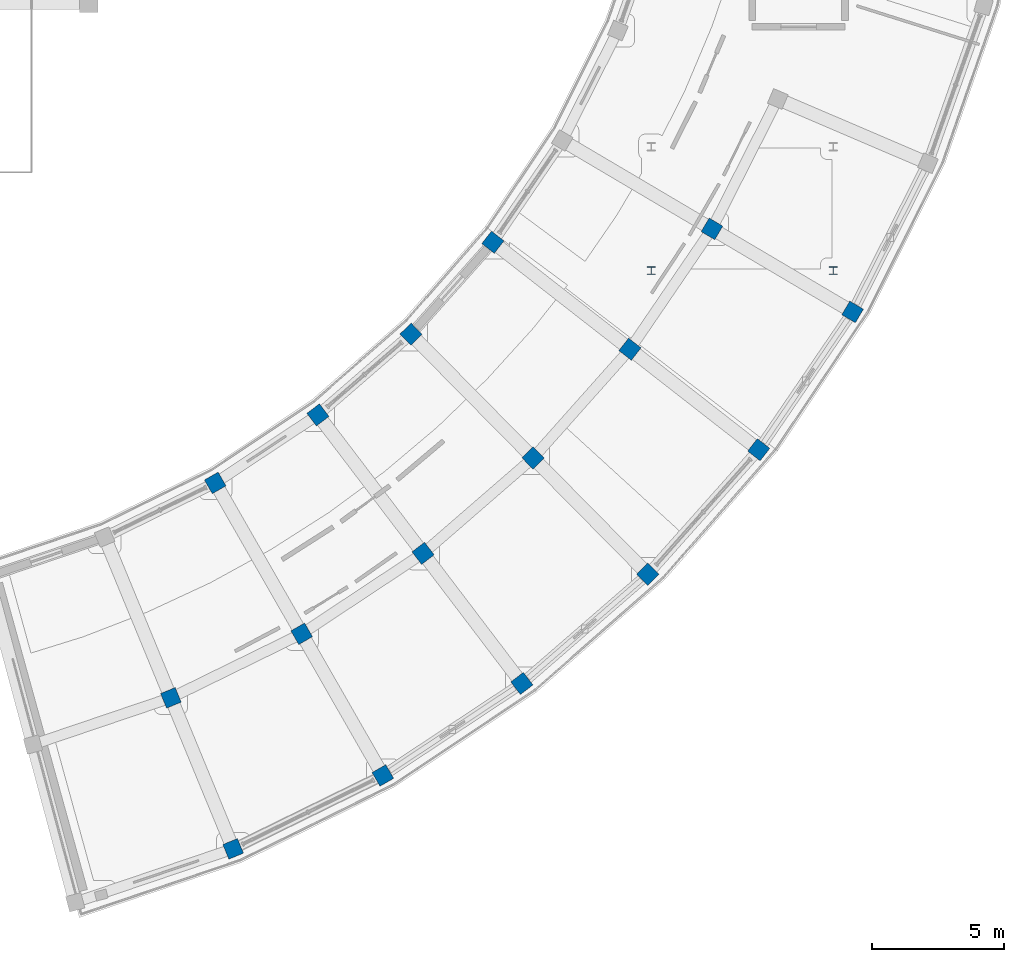
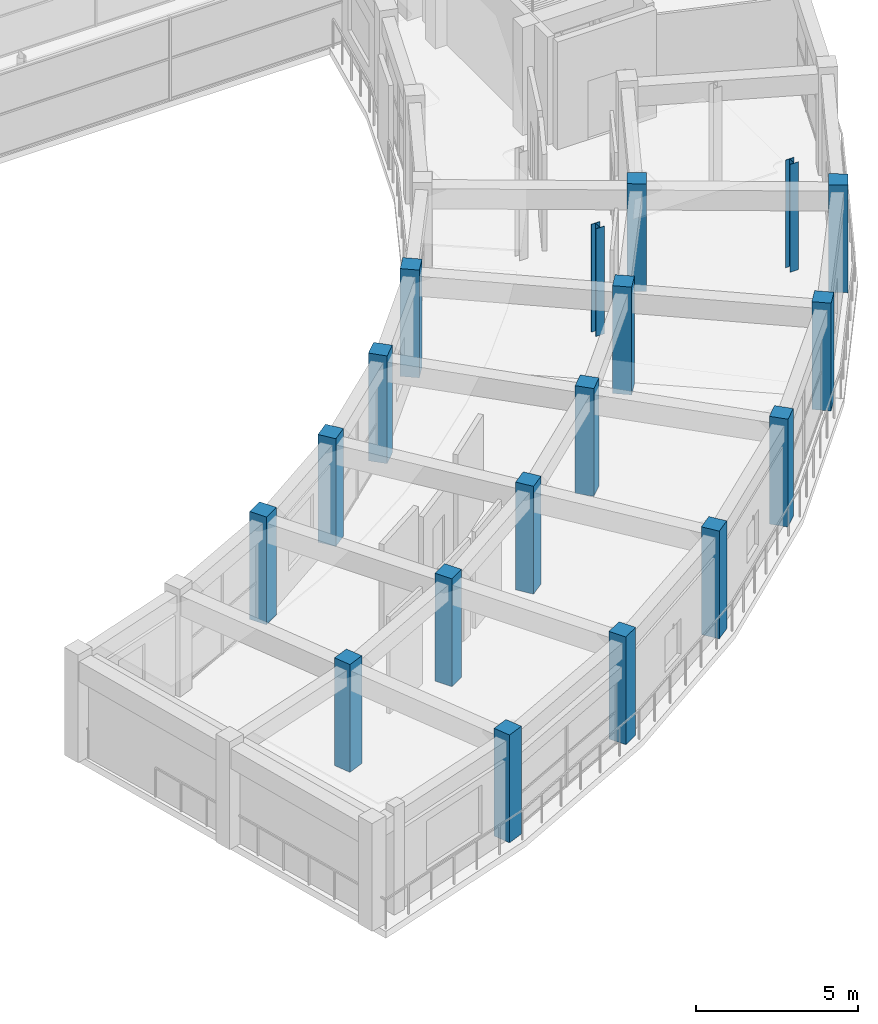
# One storey, part 4 of 53: 18 columns.
"""IFC4 building model written with IfcOpenShell, lengths in metres."""

from ifc_helpers import new_model, si_unit, direction, frame, origin, origin_2d, place, context, subcontext, project, spatial, rectangle, i_section, extrude, material, material_profile, profile_set, type_object, element, save


model = new_model("IFC4")

# Units and contexts
model_context = context("Model", 3, precision=1e-05, world=origin(), true_north=direction((0.0, 1.0)))
body_context = subcontext(model_context, "Body", "Model", "MODEL_VIEW")
ifc_project = project(units=[si_unit("LENGTHUNIT", "METRE"), si_unit("AREAUNIT", "SQUARE_METRE"), si_unit("VOLUMEUNIT", "CUBIC_METRE"), si_unit("PLANEANGLEUNIT", "RADIAN"), si_unit("MASSUNIT", "GRAM", prefix="KILO")], contexts=[model_context])

# Site, building, storey
site_placement = place(None, origin())
site = spatial("IfcSite", under=ifc_project, at=site_placement, CompositionType="ELEMENT")
building_placement = place(site_placement, origin())
building = spatial("IfcBuilding", under=site, at=building_placement, Name="Saryqyr Civic Hall", CompositionType="ELEMENT")
storey_placement = place(building_placement, frame((0.0, 0.0, 21.300048828125)))
storey = spatial("IfcBuildingStorey", under=building, at=storey_placement, Name="L05", CompositionType="ELEMENT", Elevation=21.300048828125)

# Columns
ifc_material_1 = material(Name="Steel S355", Category="steel")
ifc_material_profile_1 = material_profile(ifc_material_1, i_section(OverallWidth=0.300048828125, OverallDepth=0.2900390625, WebThickness=0.008544921875, FlangeThickness=0.013916015625, at=origin_2d()), Name="HEA 300")
ifc_profile_set_1 = profile_set([ifc_material_profile_1], Name="Steel S355")
column_type_1 = type_object("IfcColumnType", Name="STR-COL-HEA300-S355", PredefinedType="COLUMN", material=ifc_profile_set_1)
for number, where, z_axis, x_axis, name in (
    (1, (91.550048828125, 60.64990234375, 0.0), (0.0, 0.0, 1.0), (1.0, 0.0, 0.0), "Column RGV5-COL-1-L05"),
    (2, (98.449951171875, 60.64990234375, 0.0), (0.0, 0.0, 1.0), (1.0, 0.0, 0.0), "Column RGV5-COL-2-L05"),
):
    element("IfcColumn", number, at=place(storey_placement, frame(where, z_axis=z_axis, x_axis=x_axis)), inside=storey, type_object=column_type_1, Name=name, PredefinedType="COLUMN", context=body_context, shape_type="SweptSolid", body=[
        extrude(i_section(OverallWidth=0.300048828125, OverallDepth=0.2900390625, WebThickness=0.008544921875, FlangeThickness=0.013916015625, at=origin_2d()), origin(), (0.0, 0.0, 1.0), 4.050048828125),
    ])
ifc_material_2 = material(Name="Concrete C40/50", Category="concrete")
ifc_material_profile_2 = material_profile(ifc_material_2, rectangle(XDim=0.60009765625, YDim=0.60009765625, at=origin_2d()), Name="RC 600x600")
ifc_profile_set_2 = profile_set([ifc_material_profile_2], Name="Concrete C40/50")
column_type_2 = type_object("IfcColumnType", Name="STR-COL-RC600-C40", PredefinedType="COLUMN", material=ifc_profile_set_2)
for number, where, z_axis, x_axis, name in (
    (3, (73.313232421875, 44.430908203125, 0.0), (0.0, 0.0, 1.0), (0.38107037635, -0.924546033612, 0.0), "Column V5-COL-MID01-L05"),
    (4, (75.676513671875, 38.698974609375, 0.0), (0.0, 0.0, 1.0), (0.38107037635, -0.924546033612, 0.0), "Column V5-COL-OUT01-L05"),
    (5, (74.995849609375, 52.590087890625, 0.0), (0.0, 0.0, 1.0), (0.4971254071, -0.867678701833, 0.0), "Column V5-COL-IN02-L05"),
    (6, (78.277099609375, 46.86328125, 0.0), (0.0, 0.0, 1.0), (0.4971254071, -0.867678701833, 0.0), "Column V5-COL-MID02-L05"),
    (7, (81.359130859375, 41.483642578125, 0.0), (0.0, 0.0, 1.0), (0.4971254071, -0.867678701833, 0.0), "Column V5-COL-OUT02-L05"),
    (8, (78.89404296875, 55.17138671875, 0.0), (0.0, 0.0, 1.0), (0.604877119416, -0.796318824597, 0.0), "Column V5-COL-IN03-L05"),
    (9, (82.8857421875, 49.915283203125, 0.0), (0.0, 0.0, 1.0), (0.604877119416, -0.796318824597, 0.0), "Column V5-COL-MID03-L05"),
    (10, (86.635498046875, 44.977783203125, 0.0), (0.0, 0.0, 1.0), (0.604877119416, -0.796318824597, 0.0), "Column V5-COL-OUT03-L05"),
    (11, (82.427001953125, 58.2333984375, 0.0), (0.0, 0.0, 1.0), (0.70240155419, -0.711780904964, 0.0), "Column V5-COL-IN04-L05"),
    (12, (87.062744140625, 53.535888671875, 0.0), (0.0, 0.0, 1.0), (0.70240155419, -0.711780904964, 0.0), "Column V5-COL-MID04-L05"),
    (13, (91.417724609375, 49.122802734375, 0.0), (0.0, 0.0, 1.0), (0.70240155419, -0.711780904964, 0.0), "Column V5-COL-OUT04-L05"),
    (14, (85.53564453125, 61.7255859375, 0.0), (0.0, 0.0, 1.0), (0.78822561199, -0.615386370179, 0.0), "Column V5-COL-IN05-L05"),
    (15, (90.73828125, 57.664306640625, 0.0), (0.0, 0.0, 1.0), (0.78822561199, -0.615386370179, 0.0), "Column V5-COL-MID05-L05"),
    (16, (95.625732421875, 53.849365234375, 0.0), (0.0, 0.0, 1.0), (0.78822561199, -0.615386370179, 0.0), "Column V5-COL-OUT05-L05"),
    (17, (93.851318359375, 62.232421875, 0.0), (0.0, 0.0, 1.0), (0.861008442465, -0.508590662521, 0.0), "Column V5-COL-MID06-L05"),
    (18, (99.189453125, 59.0791015625, 0.0), (0.0, 0.0, 1.0), (0.861008442465, -0.508590662521, 0.0), "Column V5-COL-OUT06-L05"),
):
    element("IfcColumn", number, at=place(storey_placement, frame(where, z_axis=z_axis, x_axis=x_axis)), inside=storey, type_object=column_type_2, Name=name, PredefinedType="COLUMN", context=body_context, shape_type="SweptSolid", body=[
        extrude(rectangle(XDim=0.60009765625, YDim=0.60009765625, at=origin_2d()), origin(), (0.0, 0.0, 1.0), 4.050048828125),
    ])

save(model, "model.ifc")
